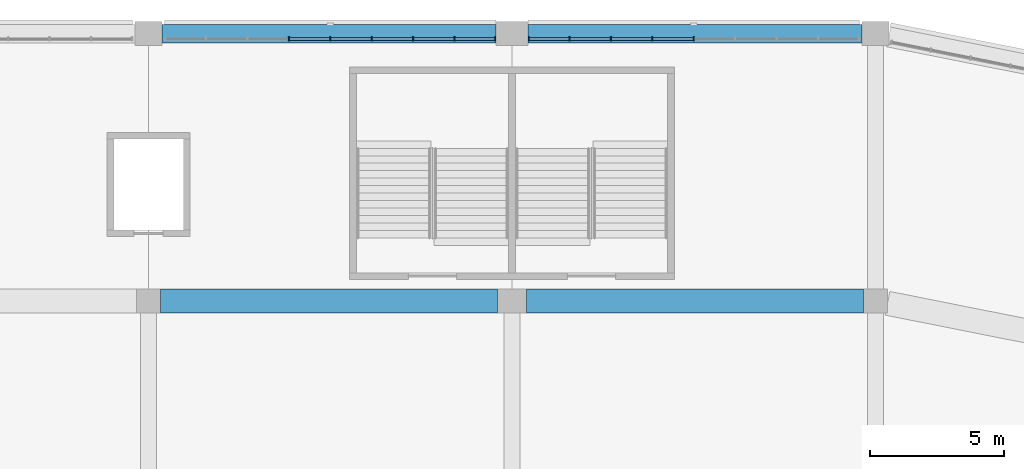
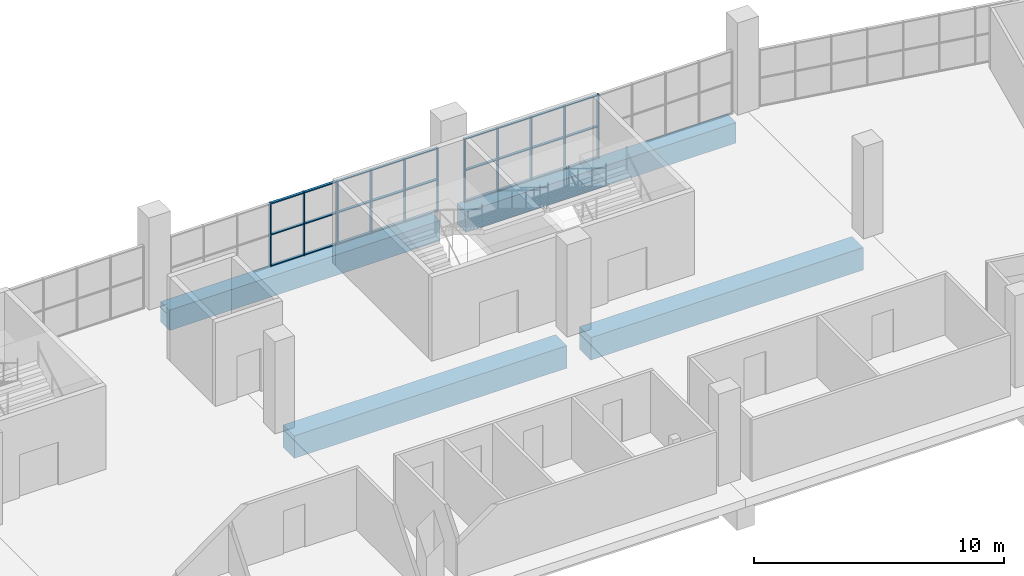
# One storey, part 46 of 199: 38 members, 4 beams, 2 elements without a shape of their own.
"""IFC4 building model written with IfcOpenShell, lengths in metres."""

from ifc_helpers import new_model, si_unit, direction, frame, origin, origin_2d, place, context, subcontext, project, spatial, rectangle, extrude, material, material_profile, profile_set, type_object, element, aggregate, save


model = new_model("IFC4")

# Units and contexts
model_context = context("Model", 3, precision=1e-05, world=origin(), true_north=direction((0.0, 1.0)))
body_context = subcontext(model_context, "Body", "Model", "MODEL_VIEW")
ifc_project = project(units=[si_unit("LENGTHUNIT", "METRE"), si_unit("AREAUNIT", "SQUARE_METRE"), si_unit("VOLUMEUNIT", "CUBIC_METRE"), si_unit("PLANEANGLEUNIT", "RADIAN"), si_unit("MASSUNIT", "GRAM", prefix="KILO")], contexts=[model_context])

# Site, building, storey
site_placement = place(None, origin())
site = spatial("IfcSite", under=ifc_project, at=site_placement, CompositionType="ELEMENT")
building_placement = place(site_placement, origin())
building = spatial("IfcBuilding", under=site, at=building_placement, Name="Ogive Plaza Stadium", CompositionType="ELEMENT")
storey_placement = place(building_placement, frame((0.0, 0.0, 4.5)))
storey = spatial("IfcBuildingStorey", under=building, at=storey_placement, Name="L01", CompositionType="ELEMENT", Elevation=4.5)

# Curtain wall, members
ifc_material_1 = material(Name="Bronze-anodised aluminium with laminated glass", Category="aluminium")
curtain_wall_type = type_object("IfcCurtainWallType", Name="Lancet curtain wall", PredefinedType="NOTDEFINED", material=ifc_material_1)
curtain_wall_1_placement = place(storey_placement, origin())
curtain_wall_1 = element("IfcCurtainWall", 1, at=curtain_wall_1_placement, inside=storey, type_object=curtain_wall_type, Name="CURTAIN WALL B35 L01", PredefinedType="NOTDEFINED")
ifc_material_2 = material(Name="Bronze-anodised aluminium", Category="aluminium")
ifc_material_profile_1 = material_profile(ifc_material_2, rectangle(XDim=0.14990234375, YDim=0.050048828125, at=origin_2d()), Name="AL 150x50")
ifc_profile_set_1 = profile_set([ifc_material_profile_1], Name="Bronze-anodised aluminium")
member_type_1 = type_object("IfcMemberType", Name="Curtain wall mullion 50x150", PredefinedType="MULLION", material=ifc_profile_set_1)
member_1_placement = place(storey_placement, frame((12.050048828125, 102.300048828125, 0.0), z_axis=(0.0, 0.0, 1.0), x_axis=(0.0, 1.0, 0.0)))
member_1 = element("IfcMember", 2, at=member_1_placement, type_object=member_type_1, Name="CW-B35-L01 mullion 4", PredefinedType="MULLION", context=body_context, shape_type="SweptSolid", body=[
    extrude(rectangle(XDim=0.14990234375, YDim=0.050048828125, at=origin_2d()), origin(), (0.0, 0.0, 1.0), 3.090087890625),
])
member_2_placement = place(storey_placement, frame((13.60009765625, 102.300048828125, 0.0), z_axis=(0.0, 0.0, 1.0), x_axis=(0.0, 1.0, 0.0)))
member_2 = element("IfcMember", 3, at=member_2_placement, type_object=member_type_1, Name="CW-B35-L01 mullion 5", PredefinedType="MULLION", context=body_context, shape_type="SweptSolid", body=[
    extrude(rectangle(XDim=0.14990234375, YDim=0.050048828125, at=origin_2d()), origin(), (0.0, 0.0, 1.0), 3.090087890625),
])
member_3_placement = place(storey_placement, frame((15.14990234375, 102.300048828125, 0.0), z_axis=(0.0, 0.0, 1.0), x_axis=(0.0, 1.0, 0.0)))
member_3 = element("IfcMember", 4, at=member_3_placement, type_object=member_type_1, Name="CW-B35-L01 mullion 6", PredefinedType="MULLION", context=body_context, shape_type="SweptSolid", body=[
    extrude(rectangle(XDim=0.14990234375, YDim=0.050048828125, at=origin_2d()), origin(), (0.0, 0.0, 1.0), 3.090087890625),
])
member_4_placement = place(storey_placement, frame((16.699951171875, 102.300048828125, 0.0), z_axis=(0.0, 0.0, 1.0), x_axis=(0.0, 1.0, 0.0)))
member_4 = element("IfcMember", 5, at=member_4_placement, type_object=member_type_1, Name="CW-B35-L01 mullion 7", PredefinedType="MULLION", context=body_context, shape_type="SweptSolid", body=[
    extrude(rectangle(XDim=0.14990234375, YDim=0.050048828125, at=origin_2d()), origin(), (0.0, 0.0, 1.0), 3.090087890625),
])
member_5_placement = place(storey_placement, frame((18.25, 102.300048828125, 0.0), z_axis=(0.0, 0.0, 1.0), x_axis=(0.0, 1.0, 0.0)))
member_5 = element("IfcMember", 6, at=member_5_placement, type_object=member_type_1, Name="CW-B35-L01 mullion 8", PredefinedType="MULLION", context=body_context, shape_type="SweptSolid", body=[
    extrude(rectangle(XDim=0.14990234375, YDim=0.050048828125, at=origin_2d()), origin(), (0.0, 0.0, 1.0), 3.090087890625),
])
member_6_placement = place(storey_placement, frame((19.77490234375, 102.300048828125, 0.0), z_axis=(0.0, 0.0, 1.0), x_axis=(0.0, 1.0, 0.0)))
member_6 = element("IfcMember", 7, at=member_6_placement, type_object=member_type_1, Name="CW-B35-L01 mullion 9", PredefinedType="MULLION", context=body_context, shape_type="SweptSolid", body=[
    extrude(rectangle(XDim=0.14990234375, YDim=0.050048828125, at=origin_2d()), origin(), (0.0, 0.0, 1.0), 3.090087890625),
])

curtain_wall_2_placement = place(storey_placement, origin())
curtain_wall_2 = element("IfcCurtainWall", 8, at=curtain_wall_2_placement, inside=storey, type_object=curtain_wall_type, Name="CURTAIN WALL B36 L01", PredefinedType="NOTDEFINED")
member_7_placement = place(storey_placement, frame((21.02490234375, 102.300048828125, 0.0), z_axis=(0.0, 0.0, 1.0), x_axis=(0.0, 1.0, 0.0)))
member_7 = element("IfcMember", 9, at=member_7_placement, type_object=member_type_1, Name="CW-B36-L01 mullion 1", PredefinedType="MULLION", context=body_context, shape_type="SweptSolid", body=[
    extrude(rectangle(XDim=0.14990234375, YDim=0.050048828125, at=origin_2d()), origin(), (0.0, 0.0, 1.0), 3.090087890625),
])
member_8_placement = place(storey_placement, frame((22.550048828125, 102.300048828125, 0.0), z_axis=(0.0, 0.0, 1.0), x_axis=(0.0, 1.0, 0.0)))
member_8 = element("IfcMember", 10, at=member_8_placement, type_object=member_type_1, Name="CW-B36-L01 mullion 2", PredefinedType="MULLION", context=body_context, shape_type="SweptSolid", body=[
    extrude(rectangle(XDim=0.14990234375, YDim=0.050048828125, at=origin_2d()), origin(), (0.0, 0.0, 1.0), 3.090087890625),
])
member_9_placement = place(storey_placement, frame((24.10009765625, 102.300048828125, 0.0), z_axis=(0.0, 0.0, 1.0), x_axis=(0.0, 1.0, 0.0)))
member_9 = element("IfcMember", 11, at=member_9_placement, type_object=member_type_1, Name="CW-B36-L01 mullion 3", PredefinedType="MULLION", context=body_context, shape_type="SweptSolid", body=[
    extrude(rectangle(XDim=0.14990234375, YDim=0.050048828125, at=origin_2d()), origin(), (0.0, 0.0, 1.0), 3.090087890625),
])
member_10_placement = place(storey_placement, frame((25.64990234375, 102.300048828125, 0.0), z_axis=(0.0, 0.0, 1.0), x_axis=(0.0, 1.0, 0.0)))
member_10 = element("IfcMember", 12, at=member_10_placement, type_object=member_type_1, Name="CW-B36-L01 mullion 4", PredefinedType="MULLION", context=body_context, shape_type="SweptSolid", body=[
    extrude(rectangle(XDim=0.14990234375, YDim=0.050048828125, at=origin_2d()), origin(), (0.0, 0.0, 1.0), 3.090087890625),
])
member_11_placement = place(storey_placement, frame((27.199951171875, 102.300048828125, 0.0), z_axis=(0.0, 0.0, 1.0), x_axis=(0.0, 1.0, 0.0)))
member_11 = element("IfcMember", 13, at=member_11_placement, type_object=member_type_1, Name="CW-B36-L01 mullion 5", PredefinedType="MULLION", context=body_context, shape_type="SweptSolid", body=[
    extrude(rectangle(XDim=0.14990234375, YDim=0.050048828125, at=origin_2d()), origin(), (0.0, 0.0, 1.0), 3.090087890625),
])

# Member
ifc_material_3 = material(Name="Bronze-anodised aluminium", Category="aluminium")
ifc_material_profile_2 = material_profile(ifc_material_3, rectangle(XDim=0.1201171875, YDim=0.050048828125, at=origin_2d()), Name="AL 120x50")
ifc_profile_set_2 = profile_set([ifc_material_profile_2], Name="Bronze-anodised aluminium")
member_type_2 = type_object("IfcMemberType", Name="Curtain wall transom 50x120", PredefinedType="USERDEFINED", material=ifc_profile_set_2)
member_12_placement = place(storey_placement, frame((12.074951171875, 102.300048828125, 0.02490234375), z_axis=(1.0, 0.0, 0.0), x_axis=(0.0, 1.0, 0.0)))
member_12 = element("IfcMember", 14, at=member_12_placement, type_object=member_type_2, Name="CW-B35-L01 transom 4.1", ObjectType="TRANSOM", PredefinedType="USERDEFINED", context=body_context, shape_type="SweptSolid", body=[
    extrude(rectangle(XDim=0.1201171875, YDim=0.050048828125, at=origin_2d()), origin(), (0.0, 0.0, 1.0), 1.5),
])

member_13_placement = place(storey_placement, frame((12.074951171875, 102.300048828125, 1.544921875), z_axis=(1.0, 0.0, 0.0), x_axis=(0.0, 1.0, 0.0)))
member_13 = element("IfcMember", 15, at=member_13_placement, type_object=member_type_2, Name="CW-B35-L01 transom 4.2", ObjectType="TRANSOM", PredefinedType="USERDEFINED", context=body_context, shape_type="SweptSolid", body=[
    extrude(rectangle(XDim=0.1201171875, YDim=0.050048828125, at=origin_2d()), origin(), (0.0, 0.0, 1.0), 1.5),
])

member_14_placement = place(storey_placement, frame((12.074951171875, 102.300048828125, 3.06494140625), z_axis=(1.0, 0.0, 0.0), x_axis=(0.0, 1.0, 0.0)))
member_14 = element("IfcMember", 16, at=member_14_placement, type_object=member_type_2, Name="CW-B35-L01 transom 4.3", ObjectType="TRANSOM", PredefinedType="USERDEFINED", context=body_context, shape_type="SweptSolid", body=[
    extrude(rectangle(XDim=0.1201171875, YDim=0.050048828125, at=origin_2d()), origin(), (0.0, 0.0, 1.0), 1.5),
])

member_15_placement = place(storey_placement, frame((13.625, 102.300048828125, 0.02490234375), z_axis=(1.0, 0.0, 0.0), x_axis=(0.0, 1.0, 0.0)))
member_15 = element("IfcMember", 17, at=member_15_placement, type_object=member_type_2, Name="CW-B35-L01 transom 5.1", ObjectType="TRANSOM", PredefinedType="USERDEFINED", context=body_context, shape_type="SweptSolid", body=[
    extrude(rectangle(XDim=0.1201171875, YDim=0.050048828125, at=origin_2d()), origin(), (0.0, 0.0, 1.0), 1.5),
])

member_16_placement = place(storey_placement, frame((13.625, 102.300048828125, 1.544921875), z_axis=(1.0, 0.0, 0.0), x_axis=(0.0, 1.0, 0.0)))
member_16 = element("IfcMember", 18, at=member_16_placement, type_object=member_type_2, Name="CW-B35-L01 transom 5.2", ObjectType="TRANSOM", PredefinedType="USERDEFINED", context=body_context, shape_type="SweptSolid", body=[
    extrude(rectangle(XDim=0.1201171875, YDim=0.050048828125, at=origin_2d()), origin(), (0.0, 0.0, 1.0), 1.5),
])

member_17_placement = place(storey_placement, frame((13.625, 102.300048828125, 3.06494140625), z_axis=(1.0, 0.0, 0.0), x_axis=(0.0, 1.0, 0.0)))
member_17 = element("IfcMember", 19, at=member_17_placement, type_object=member_type_2, Name="CW-B35-L01 transom 5.3", ObjectType="TRANSOM", PredefinedType="USERDEFINED", context=body_context, shape_type="SweptSolid", body=[
    extrude(rectangle(XDim=0.1201171875, YDim=0.050048828125, at=origin_2d()), origin(), (0.0, 0.0, 1.0), 1.5),
])

member_18_placement = place(storey_placement, frame((15.175048828125, 102.300048828125, 0.02490234375), z_axis=(1.0, 0.0, 0.0), x_axis=(0.0, 1.0, 0.0)))
member_18 = element("IfcMember", 20, at=member_18_placement, type_object=member_type_2, Name="CW-B35-L01 transom 6.1", ObjectType="TRANSOM", PredefinedType="USERDEFINED", context=body_context, shape_type="SweptSolid", body=[
    extrude(rectangle(XDim=0.1201171875, YDim=0.050048828125, at=origin_2d()), origin(), (0.0, 0.0, 1.0), 1.5),
])

member_19_placement = place(storey_placement, frame((15.175048828125, 102.300048828125, 1.544921875), z_axis=(1.0, 0.0, 0.0), x_axis=(0.0, 1.0, 0.0)))
member_19 = element("IfcMember", 21, at=member_19_placement, type_object=member_type_2, Name="CW-B35-L01 transom 6.2", ObjectType="TRANSOM", PredefinedType="USERDEFINED", context=body_context, shape_type="SweptSolid", body=[
    extrude(rectangle(XDim=0.1201171875, YDim=0.050048828125, at=origin_2d()), origin(), (0.0, 0.0, 1.0), 1.5),
])

member_20_placement = place(storey_placement, frame((15.175048828125, 102.300048828125, 3.06494140625), z_axis=(1.0, 0.0, 0.0), x_axis=(0.0, 1.0, 0.0)))
member_20 = element("IfcMember", 22, at=member_20_placement, type_object=member_type_2, Name="CW-B35-L01 transom 6.3", ObjectType="TRANSOM", PredefinedType="USERDEFINED", context=body_context, shape_type="SweptSolid", body=[
    extrude(rectangle(XDim=0.1201171875, YDim=0.050048828125, at=origin_2d()), origin(), (0.0, 0.0, 1.0), 1.5),
])

member_21_placement = place(storey_placement, frame((16.72509765625, 102.300048828125, 0.02490234375), z_axis=(1.0, 0.0, 0.0), x_axis=(0.0, 1.0, 0.0)))
member_21 = element("IfcMember", 23, at=member_21_placement, type_object=member_type_2, Name="CW-B35-L01 transom 7.1", ObjectType="TRANSOM", PredefinedType="USERDEFINED", context=body_context, shape_type="SweptSolid", body=[
    extrude(rectangle(XDim=0.1201171875, YDim=0.050048828125, at=origin_2d()), origin(), (0.0, 0.0, 1.0), 1.5),
])

member_22_placement = place(storey_placement, frame((16.72509765625, 102.300048828125, 1.544921875), z_axis=(1.0, 0.0, 0.0), x_axis=(0.0, 1.0, 0.0)))
member_22 = element("IfcMember", 24, at=member_22_placement, type_object=member_type_2, Name="CW-B35-L01 transom 7.2", ObjectType="TRANSOM", PredefinedType="USERDEFINED", context=body_context, shape_type="SweptSolid", body=[
    extrude(rectangle(XDim=0.1201171875, YDim=0.050048828125, at=origin_2d()), origin(), (0.0, 0.0, 1.0), 1.5),
])

member_23_placement = place(storey_placement, frame((16.72509765625, 102.300048828125, 3.06494140625), z_axis=(1.0, 0.0, 0.0), x_axis=(0.0, 1.0, 0.0)))
member_23 = element("IfcMember", 25, at=member_23_placement, type_object=member_type_2, Name="CW-B35-L01 transom 7.3", ObjectType="TRANSOM", PredefinedType="USERDEFINED", context=body_context, shape_type="SweptSolid", body=[
    extrude(rectangle(XDim=0.1201171875, YDim=0.050048828125, at=origin_2d()), origin(), (0.0, 0.0, 1.0), 1.5),
])

member_24_placement = place(storey_placement, frame((18.27490234375, 102.300048828125, 0.02490234375), z_axis=(1.0, 0.0, 0.0), x_axis=(0.0, 1.0, 0.0)))
member_24 = element("IfcMember", 26, at=member_24_placement, type_object=member_type_2, Name="CW-B35-L01 transom 8.1", ObjectType="TRANSOM", PredefinedType="USERDEFINED", context=body_context, shape_type="SweptSolid", body=[
    extrude(rectangle(XDim=0.1201171875, YDim=0.050048828125, at=origin_2d()), origin(), (0.0, 0.0, 1.0), 1.47509765625),
])

member_25_placement = place(storey_placement, frame((18.27490234375, 102.300048828125, 1.544921875), z_axis=(1.0, 0.0, 0.0), x_axis=(0.0, 1.0, 0.0)))
member_25 = element("IfcMember", 27, at=member_25_placement, type_object=member_type_2, Name="CW-B35-L01 transom 8.2", ObjectType="TRANSOM", PredefinedType="USERDEFINED", context=body_context, shape_type="SweptSolid", body=[
    extrude(rectangle(XDim=0.1201171875, YDim=0.050048828125, at=origin_2d()), origin(), (0.0, 0.0, 1.0), 1.47509765625),
])

member_26_placement = place(storey_placement, frame((18.27490234375, 102.300048828125, 3.06494140625), z_axis=(1.0, 0.0, 0.0), x_axis=(0.0, 1.0, 0.0)))
member_26 = element("IfcMember", 28, at=member_26_placement, type_object=member_type_2, Name="CW-B35-L01 transom 8.3", ObjectType="TRANSOM", PredefinedType="USERDEFINED", context=body_context, shape_type="SweptSolid", body=[
    extrude(rectangle(XDim=0.1201171875, YDim=0.050048828125, at=origin_2d()), origin(), (0.0, 0.0, 1.0), 1.47509765625),
])

aggregate(curtain_wall_1, [member_1, member_2, member_3, member_4, member_5, member_6, member_12, member_13, member_14, member_15, member_16, member_17, member_18, member_19, member_20, member_21, member_22, member_23, member_24, member_25, member_26])

member_27_placement = place(storey_placement, frame((21.050048828125, 102.300048828125, 0.02490234375), z_axis=(1.0, 0.0, 0.0), x_axis=(0.0, 1.0, 0.0)))
member_27 = element("IfcMember", 29, at=member_27_placement, type_object=member_type_2, Name="CW-B36-L01 transom 1.1", ObjectType="TRANSOM", PredefinedType="USERDEFINED", context=body_context, shape_type="SweptSolid", body=[
    extrude(rectangle(XDim=0.1201171875, YDim=0.050048828125, at=origin_2d()), origin(), (0.0, 0.0, 1.0), 1.474853515625),
])

member_28_placement = place(storey_placement, frame((21.050048828125, 102.300048828125, 1.544921875), z_axis=(1.0, 0.0, 0.0), x_axis=(0.0, 1.0, 0.0)))
member_28 = element("IfcMember", 30, at=member_28_placement, type_object=member_type_2, Name="CW-B36-L01 transom 1.2", ObjectType="TRANSOM", PredefinedType="USERDEFINED", context=body_context, shape_type="SweptSolid", body=[
    extrude(rectangle(XDim=0.1201171875, YDim=0.050048828125, at=origin_2d()), origin(), (0.0, 0.0, 1.0), 1.474853515625),
])

member_29_placement = place(storey_placement, frame((21.050048828125, 102.300048828125, 3.06494140625), z_axis=(1.0, 0.0, 0.0), x_axis=(0.0, 1.0, 0.0)))
member_29 = element("IfcMember", 31, at=member_29_placement, type_object=member_type_2, Name="CW-B36-L01 transom 1.3", ObjectType="TRANSOM", PredefinedType="USERDEFINED", context=body_context, shape_type="SweptSolid", body=[
    extrude(rectangle(XDim=0.1201171875, YDim=0.050048828125, at=origin_2d()), origin(), (0.0, 0.0, 1.0), 1.474853515625),
])

member_30_placement = place(storey_placement, frame((22.574951171875, 102.300048828125, 0.02490234375), z_axis=(1.0, 0.0, 0.0), x_axis=(0.0, 1.0, 0.0)))
member_30 = element("IfcMember", 32, at=member_30_placement, type_object=member_type_2, Name="CW-B36-L01 transom 2.1", ObjectType="TRANSOM", PredefinedType="USERDEFINED", context=body_context, shape_type="SweptSolid", body=[
    extrude(rectangle(XDim=0.1201171875, YDim=0.050048828125, at=origin_2d()), origin(), (0.0, 0.0, 1.0), 1.5),
])

member_31_placement = place(storey_placement, frame((22.574951171875, 102.300048828125, 1.544921875), z_axis=(1.0, 0.0, 0.0), x_axis=(0.0, 1.0, 0.0)))
member_31 = element("IfcMember", 33, at=member_31_placement, type_object=member_type_2, Name="CW-B36-L01 transom 2.2", ObjectType="TRANSOM", PredefinedType="USERDEFINED", context=body_context, shape_type="SweptSolid", body=[
    extrude(rectangle(XDim=0.1201171875, YDim=0.050048828125, at=origin_2d()), origin(), (0.0, 0.0, 1.0), 1.5),
])

member_32_placement = place(storey_placement, frame((22.574951171875, 102.300048828125, 3.06494140625), z_axis=(1.0, 0.0, 0.0), x_axis=(0.0, 1.0, 0.0)))
member_32 = element("IfcMember", 34, at=member_32_placement, type_object=member_type_2, Name="CW-B36-L01 transom 2.3", ObjectType="TRANSOM", PredefinedType="USERDEFINED", context=body_context, shape_type="SweptSolid", body=[
    extrude(rectangle(XDim=0.1201171875, YDim=0.050048828125, at=origin_2d()), origin(), (0.0, 0.0, 1.0), 1.5),
])

member_33_placement = place(storey_placement, frame((24.125, 102.300048828125, 0.02490234375), z_axis=(1.0, 0.0, 0.0), x_axis=(0.0, 1.0, 0.0)))
member_33 = element("IfcMember", 35, at=member_33_placement, type_object=member_type_2, Name="CW-B36-L01 transom 3.1", ObjectType="TRANSOM", PredefinedType="USERDEFINED", context=body_context, shape_type="SweptSolid", body=[
    extrude(rectangle(XDim=0.1201171875, YDim=0.050048828125, at=origin_2d()), origin(), (0.0, 0.0, 1.0), 1.5),
])

member_34_placement = place(storey_placement, frame((24.125, 102.300048828125, 1.544921875), z_axis=(1.0, 0.0, 0.0), x_axis=(0.0, 1.0, 0.0)))
member_34 = element("IfcMember", 36, at=member_34_placement, type_object=member_type_2, Name="CW-B36-L01 transom 3.2", ObjectType="TRANSOM", PredefinedType="USERDEFINED", context=body_context, shape_type="SweptSolid", body=[
    extrude(rectangle(XDim=0.1201171875, YDim=0.050048828125, at=origin_2d()), origin(), (0.0, 0.0, 1.0), 1.5),
])

member_35_placement = place(storey_placement, frame((24.125, 102.300048828125, 3.06494140625), z_axis=(1.0, 0.0, 0.0), x_axis=(0.0, 1.0, 0.0)))
member_35 = element("IfcMember", 37, at=member_35_placement, type_object=member_type_2, Name="CW-B36-L01 transom 3.3", ObjectType="TRANSOM", PredefinedType="USERDEFINED", context=body_context, shape_type="SweptSolid", body=[
    extrude(rectangle(XDim=0.1201171875, YDim=0.050048828125, at=origin_2d()), origin(), (0.0, 0.0, 1.0), 1.5),
])

member_36_placement = place(storey_placement, frame((25.675048828125, 102.300048828125, 0.02490234375), z_axis=(1.0, 0.0, 0.0), x_axis=(0.0, 1.0, 0.0)))
member_36 = element("IfcMember", 38, at=member_36_placement, type_object=member_type_2, Name="CW-B36-L01 transom 4.1", ObjectType="TRANSOM", PredefinedType="USERDEFINED", context=body_context, shape_type="SweptSolid", body=[
    extrude(rectangle(XDim=0.1201171875, YDim=0.050048828125, at=origin_2d()), origin(), (0.0, 0.0, 1.0), 1.5),
])

member_37_placement = place(storey_placement, frame((25.675048828125, 102.300048828125, 1.544921875), z_axis=(1.0, 0.0, 0.0), x_axis=(0.0, 1.0, 0.0)))
member_37 = element("IfcMember", 39, at=member_37_placement, type_object=member_type_2, Name="CW-B36-L01 transom 4.2", ObjectType="TRANSOM", PredefinedType="USERDEFINED", context=body_context, shape_type="SweptSolid", body=[
    extrude(rectangle(XDim=0.1201171875, YDim=0.050048828125, at=origin_2d()), origin(), (0.0, 0.0, 1.0), 1.5),
])

member_38_placement = place(storey_placement, frame((25.675048828125, 102.300048828125, 3.06494140625), z_axis=(1.0, 0.0, 0.0), x_axis=(0.0, 1.0, 0.0)))
member_38 = element("IfcMember", 40, at=member_38_placement, type_object=member_type_2, Name="CW-B36-L01 transom 4.3", ObjectType="TRANSOM", PredefinedType="USERDEFINED", context=body_context, shape_type="SweptSolid", body=[
    extrude(rectangle(XDim=0.1201171875, YDim=0.050048828125, at=origin_2d()), origin(), (0.0, 0.0, 1.0), 1.5),
])

aggregate(curtain_wall_2, [member_7, member_8, member_9, member_10, member_11, member_27, member_28, member_29, member_30, member_31, member_32, member_33, member_34, member_35, member_36, member_37, member_38])

# Beams
ifc_material_4 = material(Name="Concrete C40/50", Category="concrete")
ifc_material_profile_3 = material_profile(ifc_material_4, rectangle(XDim=0.89990234375, YDim=1.10009765625, at=origin_2d()), Name="RC 900x1100")
ifc_profile_set_3 = profile_set([ifc_material_profile_3], Name="Concrete C40/50")
beam_type_1 = type_object("IfcBeamType", Name="RC ring beam 900x1100", PredefinedType="BEAM", material=ifc_profile_set_3)
for number, where, z_axis, x_axis, name in (
    (41, (7.25, 92.5, -0.9599609375), (1.0, 0.0, 0.0), (0.0, 1.0, 0.0), "Ring beam F4 L01 B35"),
    (42, (20.949951171875, 92.5, -0.9599609375), (1.0, 0.0, 0.0), (0.0, 1.0, 0.0), "Ring beam F4 L01 B36"),
):
    element("IfcBeam", number, at=place(storey_placement, frame(where, z_axis=z_axis, x_axis=x_axis)), inside=storey, type_object=beam_type_1, Name=name, PredefinedType="BEAM", context=body_context, shape_type="SweptSolid", body=[
        extrude(rectangle(XDim=0.89990234375, YDim=1.10009765625, at=origin_2d()), origin(), (0.0, 0.0, 1.0), 12.60009765625),
    ])
ifc_material_5 = material(Name="Concrete C40/50", Category="concrete")
ifc_material_profile_4 = material_profile(ifc_material_5, rectangle(XDim=0.699951171875, YDim=1.0, at=origin_2d()), Name="RC 700x1000")
ifc_profile_set_4 = profile_set([ifc_material_profile_4], Name="Concrete C40/50")
beam_type_2 = type_object("IfcBeamType", Name="RC spandrel beam 700x1000", PredefinedType="SPANDREL", material=ifc_profile_set_4)
for number, where, z_axis, x_axis, name in (
    (43, (7.300048828125, 102.5, -0.909912109375), (1.0, 0.0, 0.0), (0.0, 1.0, 0.0), "Ring beam F5 L01 B35"),
    (44, (21.0, 102.5, -0.909912109375), (1.0, 0.0, 0.0), (0.0, 1.0, 0.0), "Ring beam F5 L01 B36"),
):
    element("IfcBeam", number, at=place(storey_placement, frame(where, z_axis=z_axis, x_axis=x_axis)), inside=storey, type_object=beam_type_2, Name=name, PredefinedType="SPANDREL", context=body_context, shape_type="SweptSolid", body=[
        extrude(rectangle(XDim=0.699951171875, YDim=1.0, at=origin_2d()), origin(), (0.0, 0.0, 1.0), 12.5),
    ])

save(model, "model.ifc")
